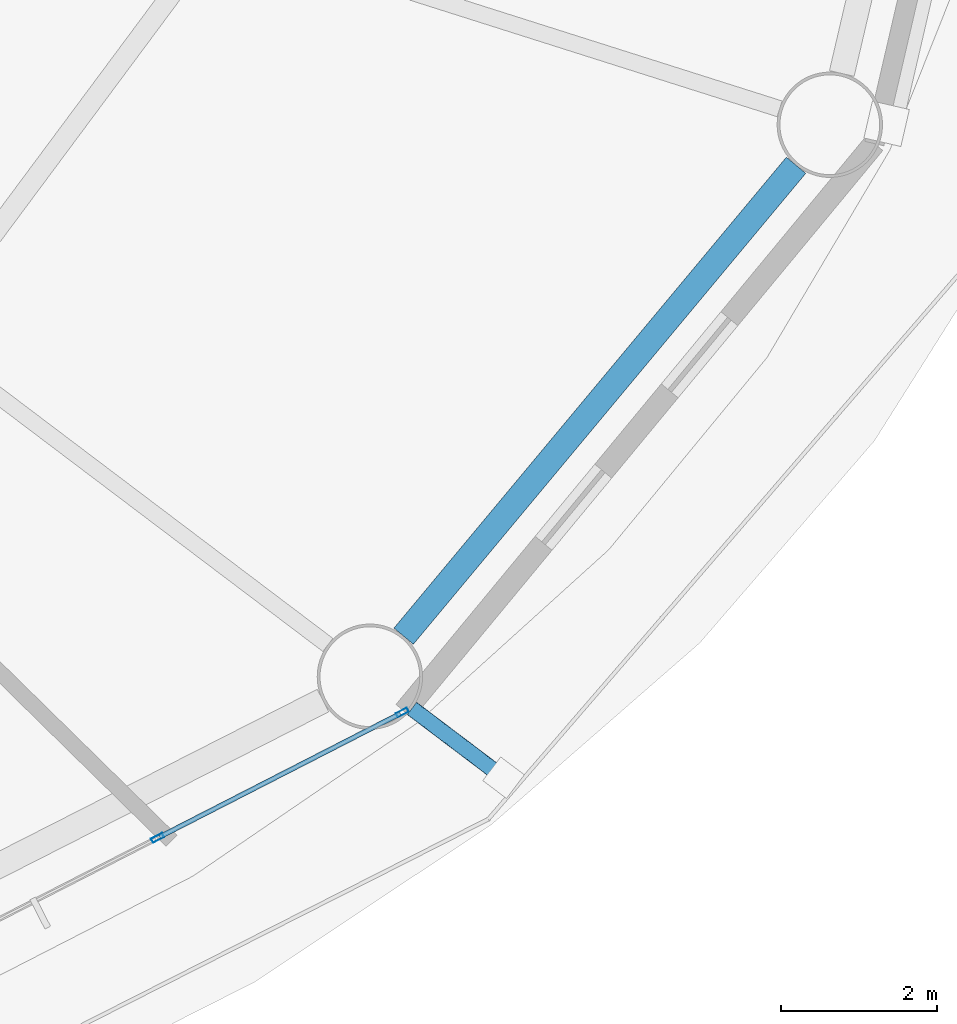
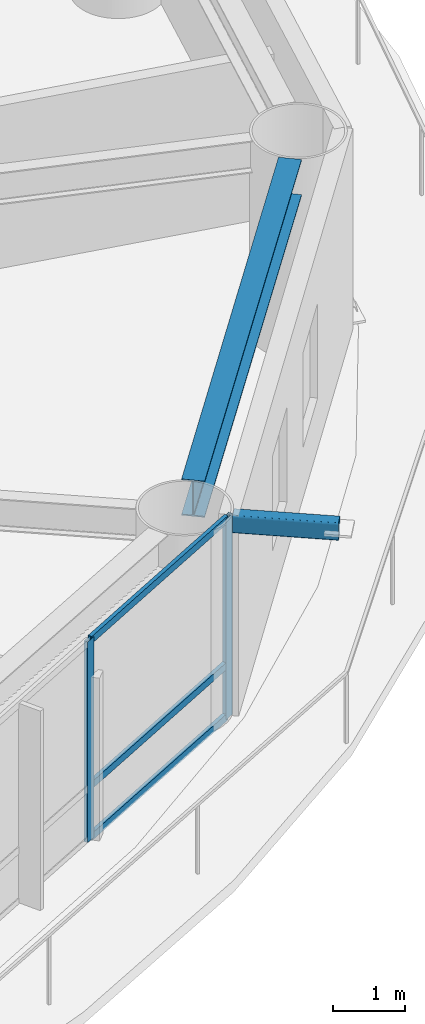
# One storey, part 6 of 24: 6 members, 1 beam, 1 element without a shape of its own.
"""IFC4 building model written with IfcOpenShell, lengths in metres."""

import ifcopenshell
import ifcopenshell.guid

model = None  # the IFC model being written
_history = None  # IfcOwnerHistory: only IFC2X3 demands one
_inside = {}  # id of a spatial element -> (the spatial element, [elements in it])
_under = {}  # id of a project, library or spatial element -> (it, [spatial elements below it])
_declared = {}  # id of a project -> (the project, [libraries it declares])
_typed = {}  # id of a type object -> (the type object, [elements of that type])
_made_of = {}  # id of a material, layer set ... -> (it, [elements and type objects made of it])


def new_model(schema):
    """Start an empty IFC model of exactly this schema.

    Asked for "IFC4X3", IfcOpenShell would pick the latest addendum, in which some entities
    have other attributes; the version numbers below select the first issue.
    IFC2X3 requires an IfcOwnerHistory on every rooted entity: one is made here for all.
    """
    global model, _history
    if schema == "IFC4X3":
        model = ifcopenshell.file(schema_version=(4, 3, 0, 0))
    else:
        model = ifcopenshell.file(schema=schema)
    _inside.clear()
    _under.clear()
    _declared.clear()
    _typed.clear()
    _made_of.clear()
    _history = None
    if model.schema == "IFC2X3":
        org = make("IfcOrganization", Name="unknown")
        user = make(
            "IfcPersonAndOrganization",
            ThePerson=make("IfcPerson", FamilyName="unknown"),
            TheOrganization=org,
        )
        app = make(
            "IfcApplication",
            ApplicationDeveloper=org,
            Version="unknown",
            ApplicationFullName="unknown",
            ApplicationIdentifier="unknown",
        )
        _history = make(
            "IfcOwnerHistory",
            OwningUser=user,
            OwningApplication=app,
            ChangeAction="ADDED",
            CreationDate=0,
        )
    return model


def make(cls, **values):
    """One entity of the class cls with the attributes given. An attribute that is None is left unset."""
    return model.create_entity(
        cls, **{name: value for name, value in values.items() if value is not None}
    )


def rooted(cls, **values):
    """An entity with a GlobalId (a new one), such as an element, a storey or a relation."""
    return make(cls, GlobalId=ifcopenshell.guid.new(), OwnerHistory=_history, **values)


def si_unit(unit_type, name, prefix=None):
    """IfcSIUnit, for example si_unit("LENGTHUNIT", "METRE", prefix="MILLI")."""
    return make("IfcSIUnit", UnitType=unit_type, Prefix=prefix, Name=name)


def assignment(units):
    """IfcUnitAssignment: the units of a project."""
    return None if units is None else make("IfcUnitAssignment", Units=units)


def point(xyz):
    """IfcCartesianPoint."""
    return None if xyz is None else make("IfcCartesianPoint", Coordinates=xyz)


def direction(xyz):
    """IfcDirection."""
    return None if xyz is None else make("IfcDirection", DirectionRatios=xyz)


def frame(location, z_axis=None, x_axis=None):
    """IfcAxis2Placement3D, a coordinate frame: its origin and axes. An axis left out is left unset."""
    return make(
        "IfcAxis2Placement3D",
        Location=point(location),
        Axis=direction(z_axis),
        RefDirection=direction(x_axis),
    )


def frame_2d(location, x_axis=None):
    """IfcAxis2Placement2D, a coordinate frame in the plane: its origin and x axis."""
    return make(
        "IfcAxis2Placement2D", Location=point(location), RefDirection=direction(x_axis)
    )


def origin():
    """The frame at (0, 0, 0) with its axes left unset."""
    return frame((0.0, 0.0, 0.0))


def origin_2d():
    """The frame at (0, 0) in the plane with its x axis left unset."""
    return frame_2d((0.0, 0.0))


def place(relative_to, where):
    """IfcLocalPlacement: puts the frame where relative to a parent placement (None: the world)."""
    return make(
        "IfcLocalPlacement", PlacementRelTo=relative_to, RelativePlacement=where
    )


def context(
    kind, dimensions, precision=None, world=None, true_north=None, identifier=None
):
    """IfcGeometricRepresentationContext, for example the 3D "Model" context."""
    return make(
        "IfcGeometricRepresentationContext",
        ContextIdentifier=identifier,
        ContextType=kind,
        CoordinateSpaceDimension=dimensions,
        Precision=precision,
        WorldCoordinateSystem=world,
        TrueNorth=true_north,
    )


def subcontext(parent, identifier, kind, view, scale=None):
    """IfcGeometricRepresentationSubContext, for example "Body" below "Model"."""
    return make(
        "IfcGeometricRepresentationSubContext",
        ContextIdentifier=identifier,
        ContextType=kind,
        ParentContext=parent,
        TargetScale=scale,
        TargetView=view,
    )


def project(units=None, contexts=None):
    """IfcProject with its units and contexts."""
    return rooted(
        "IfcProject",
        Name="project",
        RepresentationContexts=contexts,
        UnitsInContext=assignment(units),
    )


def spatial(cls, under=None, at=None, **own):
    """A site, building, storey or space (cls), placed at a placement, below another one or the project."""
    s = rooted(cls, ObjectPlacement=at, **own)
    if under is not None:
        _under.setdefault(under.id(), (under, []))[1].append(s)
    return s


def profile(cls, at=None, kind="AREA", **sizes):
    """A parametric profile (cls). Its sizes go by their IFC names, for example OverallWidth=200.0."""
    return make(cls, ProfileType=kind, Position=at, **sizes)


def hollow_rectangle(**sizes):
    """IfcRectangleHollowProfileDef."""
    return profile("IfcRectangleHollowProfileDef", **sizes)


def i_section(**sizes):
    """IfcIShapeProfileDef."""
    return profile("IfcIShapeProfileDef", **sizes)


def extrude(swept, where, along, depth):
    """IfcExtrudedAreaSolid: the profile swept, set in the frame where, extruded along a direction by depth."""
    return make(
        "IfcExtrudedAreaSolid",
        SweptArea=swept,
        Position=where,
        ExtrudedDirection=direction(along),
        Depth=depth,
    )


def shape(context_of_items, identifier, shape_type, items):
    """IfcShapeRepresentation: the items that make up one representation, for example the "Body"."""
    return make(
        "IfcShapeRepresentation",
        ContextOfItems=context_of_items,
        RepresentationIdentifier=identifier,
        RepresentationType=shape_type,
        Items=items,
    )


def material(Name=None, Category=None):
    """IfcMaterial."""
    return make("IfcMaterial", Name=Name, Category=Category)


def layer(
    of_material, thickness, ventilated=None, Name=None, Category=None, Priority=None
):
    """IfcMaterialLayer: one layer of a wall or slab, of a material (None: an air gap)."""
    return make(
        "IfcMaterialLayer",
        Material=of_material,
        LayerThickness=thickness,
        IsVentilated=ventilated,
        Name=Name,
        Category=Category,
        Priority=Priority,
    )


def layer_set(layers, Name=None):
    """IfcMaterialLayerSet."""
    return make("IfcMaterialLayerSet", MaterialLayers=layers, LayerSetName=Name)


def material_profile(
    of_material, cross_section, Name=None, Category=None, Priority=None
):
    """IfcMaterialProfile: a cross section and its material."""
    return make(
        "IfcMaterialProfile",
        Name=Name,
        Material=of_material,
        Profile=cross_section,
        Priority=Priority,
        Category=Category,
    )


def profile_set(profiles, Name=None, composite=None):
    """IfcMaterialProfileSet."""
    return make(
        "IfcMaterialProfileSet",
        Name=Name,
        MaterialProfiles=profiles,
        CompositeProfile=composite,
    )


def made_of(thing, what):
    """Note that an element or type object is made of a material, layer set ...; save() writes the relation."""
    if what is not None:
        _made_of.setdefault(what.id(), (what, []))[1].append(thing)
    return thing


def type_object(cls, material=None, **own):
    """A type object (cls), such as IfcWallType, which elements share."""
    return made_of(rooted(cls, **own), material)


def element(
    cls,
    number,
    at=None,
    inside=None,
    cuts=None,
    type_object=None,
    material=None,
    context=None,
    identifier="Body",
    shape_type=None,
    held_by="IfcProductDefinitionShape",
    body=None,
    shapes=None,
    **own,
):
    """One element of the class cls, such as IfcWall. Its Tag is "e" and its number.

    at: its placement. inside: the storey or other place that contains it. cuts: it is an
    opening in that element (IfcRelVoidsElement). A single representation is given by context,
    identifier, shape_type and body (its items); several are given by shapes. held_by: the class
    of the entity that holds the representations. save() writes the other relations.
    """
    e = rooted(cls, Tag="e%d" % number, ObjectPlacement=at, **own)
    if body is not None:
        shapes = [shape(context, identifier, shape_type, body)]
    if shapes is not None:
        e.Representation = make(held_by, Representations=shapes)
    if inside is not None:
        _inside.setdefault(inside.id(), (inside, []))[1].append(e)
    if cuts is not None:
        rooted(
            "IfcRelVoidsElement", RelatingBuildingElement=cuts, RelatedOpeningElement=e
        )
    if type_object is not None:
        _typed.setdefault(type_object.id(), (type_object, []))[1].append(e)
    return made_of(e, material)


def aggregate(whole, parts):
    """IfcRelAggregates: a whole, such as a stair, and the parts it consists of."""
    return rooted("IfcRelAggregates", RelatingObject=whole, RelatedObjects=parts)


def save(model, path):
    """Write the relations noted so far, then the file.

    IfcRelAggregates (storeys below a building ...), IfcRelContainedInSpatialStructure (elements
    in a storey), IfcRelDefinesByType, IfcRelAssociatesMaterial and IfcRelDeclares: one each for
    every whole, place, type object, material and project.
    """
    for whole, parts in _under.values():
        aggregate(whole, parts)
    for where, things in _inside.values():
        rooted(
            "IfcRelContainedInSpatialStructure",
            RelatedElements=things,
            RelatingStructure=where,
        )
    for kind, things in _typed.values():
        rooted("IfcRelDefinesByType", RelatedObjects=things, RelatingType=kind)
    for what, things in _made_of.values():
        rooted("IfcRelAssociatesMaterial", RelatedObjects=things, RelatingMaterial=what)
    for by, libraries in _declared.values():
        rooted("IfcRelDeclares", RelatingContext=by, RelatedDefinitions=libraries)
    model.write(path)


model = new_model("IFC4")

# Units and contexts
model_context = context("Model", 3, precision=1e-05, world=origin(), true_north=direction((0.0, 1.0)))
body_context = subcontext(model_context, "Body", "Model", "MODEL_VIEW")
ifc_project = project(units=[si_unit("LENGTHUNIT", "METRE"), si_unit("AREAUNIT", "SQUARE_METRE"), si_unit("VOLUMEUNIT", "CUBIC_METRE"), si_unit("PLANEANGLEUNIT", "RADIAN"), si_unit("MASSUNIT", "GRAM", prefix="KILO")], contexts=[model_context])

# Site, building, storey
site_placement = place(None, origin())
site = spatial("IfcSite", under=ifc_project, at=site_placement, CompositionType="ELEMENT")
building_placement = place(site_placement, origin())
building = spatial("IfcBuilding", under=site, at=building_placement, Name="Sarneth Arch Tower", CompositionType="ELEMENT")
storey_placement = place(building_placement, frame((0.0, 0.0, 127.199951171875)))
storey = spatial("IfcBuildingStorey", under=building, at=storey_placement, Name="L32", CompositionType="ELEMENT", Elevation=127.199951171875)

# Beam
ifc_material_1 = material(Name="Steel S355", Category="steel")
ifc_material_profile_1 = material_profile(ifc_material_1, i_section(OverallWidth=0.323974609375, OverallDepth=0.611083984375, WebThickness=0.0126953125, FlangeThickness=0.01904296875, FilletRadius=0.01904296875, at=origin_2d()), Name="W610x155")
ifc_profile_set_1 = profile_set([ifc_material_profile_1], Name="Steel S355")
beam_type = type_object("IfcBeamType", Name="BM-SPAN-610B", PredefinedType="SPANDREL", material=ifc_profile_set_1)
beam_placement = place(storey_placement, frame((68.829833984375, 27.103515625, 3.074462890625), z_axis=(0.640169116175, 0.768234015581, 0.0), x_axis=(-0.768234015581, 0.640169116175, 0.0)))
element("IfcBeam", 1, at=beam_placement, inside=storey, type_object=beam_type, Name="L32 Perimeter spandrel beam 15", PredefinedType="SPANDREL", context=body_context, shape_type="SweptSolid", body=[
    extrude(i_section(OverallWidth=0.323974609375, OverallDepth=0.611083984375, WebThickness=0.0126953125, FlangeThickness=0.01904296875, FilletRadius=0.01904296875, at=origin_2d()), origin(), (0.0, 0.0, 1.0), 7.856201171875),
])

# Curtain wall, members
ifc_material_2 = material(Name="Anodised aluminium Type AA25 and solar-control low-e laminated IGU", Category="aluminium")
ifc_layer = layer(ifc_material_2, 0.159912109375)
ifc_layer_set = layer_set([ifc_layer], Name="Anodised aluminium Type AA25 and solar-control low-e laminated IGU")
curtain_wall_type = type_object("IfcCurtainWallType", Name="CW-HOTEL-MID", PredefinedType="NOTDEFINED", material=ifc_layer_set)
curtain_wall_placement = place(storey_placement, origin())
curtain_wall = element("IfcCurtainWall", 2, at=curtain_wall_placement, inside=storey, type_object=curtain_wall_type, Name="L32 Unitised curtain wall facet 14", PredefinedType="NOTDEFINED")
ifc_material_3 = material(Name="Anodised Aluminium 6063-T6", Category="aluminium")
ifc_material_profile_2 = material_profile(ifc_material_3, hollow_rectangle(XDim=0.06005859375, YDim=0.159912109375, WallThickness=0.00390625, at=origin_2d()), Name="AL-MULL-160x60x4")
ifc_profile_set_2 = profile_set([ifc_material_profile_2], Name="Anodised Aluminium 6063-T6")
member_type_1 = type_object("IfcMemberType", Name="CW-MULLION", PredefinedType="MULLION", material=ifc_profile_set_2)
member_1_placement = place(storey_placement, frame((65.677001953125, 24.518798828125, 0.0), z_axis=(0.0, 0.0, 1.0), x_axis=(-0.456031365356, 0.889963703649, 0.0)))
member_1 = element("IfcMember", 3, at=member_1_placement, type_object=member_type_1, Name="CW-SYS-4 mullion 3", PredefinedType="MULLION", context=body_context, shape_type="SweptSolid", body=[
    extrude(hollow_rectangle(XDim=0.06005859375, YDim=0.159912109375, WallThickness=0.00390625, at=origin_2d()), origin(), (0.0, 0.0, 1.0), 3.380126953125),
])
member_2_placement = place(storey_placement, frame((68.813232421875, 26.1259765625, 0.0), z_axis=(0.0, 0.0, 1.0), x_axis=(-0.456031365356, 0.889963703649, 0.0)))
member_2 = element("IfcMember", 4, at=member_2_placement, type_object=member_type_1, Name="CW-SYS-4 mullion 4", PredefinedType="MULLION", context=body_context, shape_type="SweptSolid", body=[
    extrude(hollow_rectangle(XDim=0.06005859375, YDim=0.159912109375, WallThickness=0.00390625, at=origin_2d()), origin(), (0.0, 0.0, 1.0), 3.380126953125),
])
ifc_material_4 = material(Name="Anodised Aluminium 6063-T6", Category="aluminium")
ifc_material_profile_3 = material_profile(ifc_material_4, hollow_rectangle(XDim=0.06005859375, YDim=0.1201171875, WallThickness=0.00390625, at=origin_2d()), Name="AL-TRAN-120x60x4")
ifc_profile_set_3 = profile_set([ifc_material_profile_3], Name="Anodised Aluminium 6063-T6")
member_type_2 = type_object("IfcMemberType", Name="CW-TRANSOM", PredefinedType="USERDEFINED", material=ifc_profile_set_3)
member_3_placement = place(storey_placement, frame((65.703857421875, 24.532470703125, 0.030029296875), z_axis=(0.889942905184, 0.456071952122, 0.0), x_axis=(-0.456071952122, 0.889942905184, 0.0)))
member_3 = element("IfcMember", 5, at=member_3_placement, type_object=member_type_2, Name="CW-SYS-4 transom 3.1", ObjectType="TRANSOM", PredefinedType="USERDEFINED", context=body_context, shape_type="SweptSolid", body=[
    extrude(hollow_rectangle(XDim=0.06005859375, YDim=0.1201171875, WallThickness=0.00390625, at=origin_2d()), origin(), (0.0, 0.0, 1.0), 3.464111328125),
])
member_4_placement = place(storey_placement, frame((65.703857421875, 24.532470703125, 0.900146484375), z_axis=(0.889942905184, 0.456071952122, 0.0), x_axis=(-0.456071952122, 0.889942905184, 0.0)))
member_4 = element("IfcMember", 6, at=member_4_placement, type_object=member_type_2, Name="CW-SYS-4 transom 3.2", ObjectType="TRANSOM", PredefinedType="USERDEFINED", context=body_context, shape_type="SweptSolid", body=[
    extrude(hollow_rectangle(XDim=0.06005859375, YDim=0.1201171875, WallThickness=0.00390625, at=origin_2d()), origin(), (0.0, 0.0, 1.0), 3.464111328125),
])
member_5_placement = place(storey_placement, frame((65.703857421875, 24.532470703125, 3.35009765625), z_axis=(0.889942905184, 0.456071952122, 0.0), x_axis=(-0.456071952122, 0.889942905184, 0.0)))
member_5 = element("IfcMember", 7, at=member_5_placement, type_object=member_type_2, Name="CW-SYS-4 transom 3.3", ObjectType="TRANSOM", PredefinedType="USERDEFINED", context=body_context, shape_type="SweptSolid", body=[
    extrude(hollow_rectangle(XDim=0.06005859375, YDim=0.1201171875, WallThickness=0.00390625, at=origin_2d()), origin(), (0.0, 0.0, 1.0), 3.464111328125),
])
aggregate(curtain_wall, [member_1, member_2, member_3, member_4, member_5])

# Member
ifc_material_5 = material(Name="Steel S355", Category="steel")
ifc_material_profile_4 = material_profile(ifc_material_5, hollow_rectangle(XDim=0.199951171875, YDim=0.300048828125, WallThickness=0.012451171875, InnerFilletRadius=0.018798828125, OuterFilletRadius=0.03125, at=origin_2d()), Name="RHS300x200x12.5")
ifc_profile_set_4 = profile_set([ifc_material_profile_4], Name="Steel S355")
member_type_3 = type_object("IfcMemberType", Name="MEM-CANT-STRUT", PredefinedType="STRUT", material=ifc_profile_set_4)
member_6_placement = place(storey_placement, frame((68.936279296875, 26.177978515625, 3.219970703125), z_axis=(0.797805270649, -0.602915209731, 0.0), x_axis=(0.602915209731, 0.797805270649, 0.0)))
element("IfcMember", 8, at=member_6_placement, inside=storey, type_object=member_type_3, Name="L32 Balcony cantilever bracket 15", PredefinedType="STRUT", context=body_context, shape_type="SweptSolid", body=[
    extrude(hollow_rectangle(XDim=0.199951171875, YDim=0.300048828125, WallThickness=0.012451171875, InnerFilletRadius=0.018798828125, OuterFilletRadius=0.03125, at=origin_2d()), origin(), (0.0, 0.0, 1.0), 1.471923828125),
])

save(model, "model.ifc")
